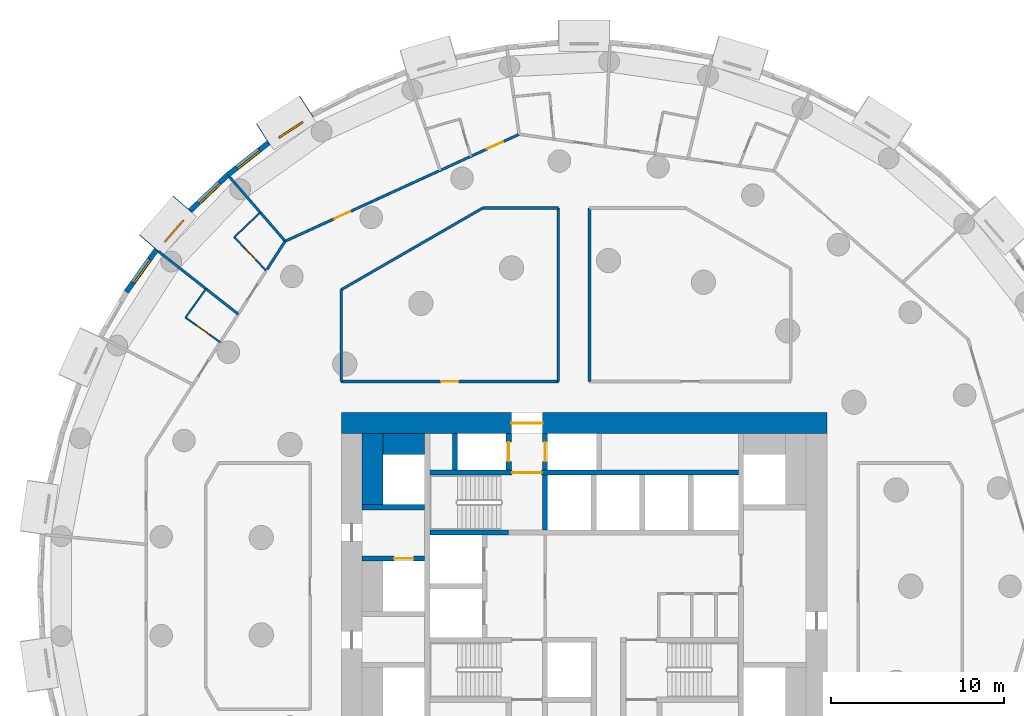
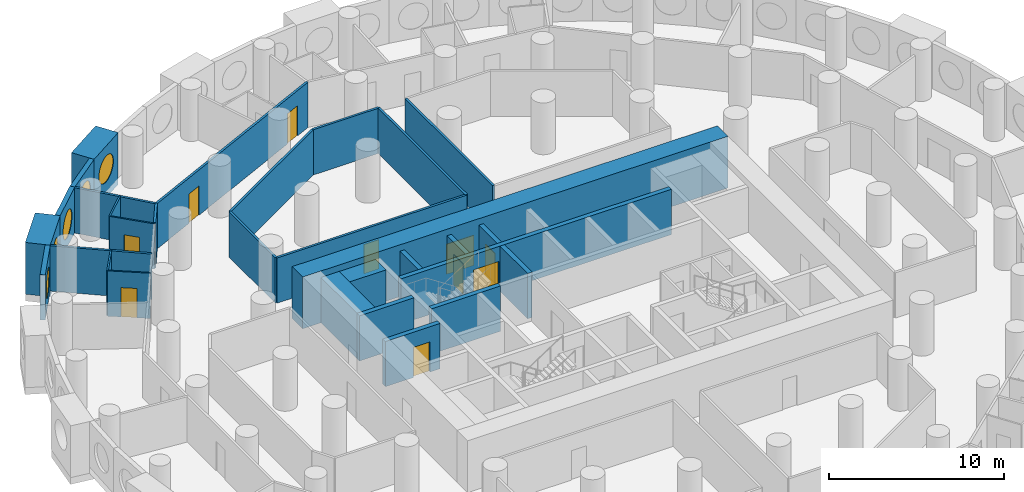
# One storey, part 7 of 11: 30 walls, 10 doors, 5 windows, 15 openings.
"""IFC4 building model written with IfcOpenShell, lengths in metres."""

from ifc_helpers import new_model, si_unit, direction, frame, frame_2d, origin, origin_2d, place, context, subcontext, project, spatial, rectangle, circle, extrude, material, layer, layer_set, type_object, element, fill, save


model = new_model("IFC4")

# Units and contexts
model_context = context("Model", 3, precision=1e-05, world=origin(), true_north=direction((0.0, 1.0)))
body_context = subcontext(model_context, "Body", "Model", "MODEL_VIEW")
ifc_project = project(units=[si_unit("LENGTHUNIT", "METRE"), si_unit("AREAUNIT", "SQUARE_METRE"), si_unit("VOLUMEUNIT", "CUBIC_METRE"), si_unit("PLANEANGLEUNIT", "RADIAN"), si_unit("MASSUNIT", "GRAM", prefix="KILO")], contexts=[model_context])

# Site, building, storey
site_placement = place(None, origin())
site = spatial("IfcSite", under=ifc_project, at=site_placement, CompositionType="ELEMENT")
building_placement = place(site_placement, origin())
building = spatial("IfcBuilding", under=site, at=building_placement, Name="Tracery Tower", CompositionType="ELEMENT")
storey_placement = place(building_placement, frame((0.0, 0.0, 100.199951171875)))
storey = spatial("IfcBuildingStorey", under=building, at=storey_placement, Name="L25", CompositionType="ELEMENT", Elevation=100.199951171875)

# Walls
ifc_material_1 = material(Name="Concrete C60/75", Category="concrete")
ifc_layer_1 = layer(ifc_material_1, 1.199951171875)
ifc_layer_set_1 = layer_set([ifc_layer_1], Name="Core strip wall 1200 C60")
wall_type_1 = type_object("IfcWallType", Name="Core strip wall 1200 C60", PredefinedType="SOLIDWALL", material=ifc_layer_set_1)
wall_1_placement = place(storey_placement, frame((-12.199951171875, 4.699951171875, 0.0), z_axis=(0.0, 0.0, 1.0), x_axis=(0.0, 1.0, 0.0)))
element("IfcWall", 1, at=wall_1_placement, inside=storey, type_object=wall_type_1, Name="L25 wing strip -1 4.55", PredefinedType="SOLIDWALL", context=body_context, shape_type="SweptSolid", body=[
    extrude(rectangle(XDim=4.10009765625, YDim=1.199951171875, at=frame_2d((2.050048828125, 0.0))), origin(), (0.0, 0.0, 1.0), 3.150146484375),
])
wall_2_placement = place(storey_placement, frame((-11.60009765625, 8.199951171875, 0.0), z_axis=(0.0, 0.0, 1.0), x_axis=(1.0, 0.0, 0.0)))
element("IfcWall", 2, at=wall_2_placement, inside=storey, type_object=wall_type_1, Name="L25 wing corner -1 +8.2", PredefinedType="SOLIDWALL", context=body_context, shape_type="SweptSolid", body=[
    extrude(rectangle(XDim=2.400146484375, YDim=1.199951171875, at=frame_2d((1.2001953125, 0.0))), origin(), (0.0, 0.0, 1.0), 3.150146484375),
])

# Wall, opening, door
ifc_material_2 = material(Name="Concrete C60/75", Category="concrete")
ifc_layer_2 = layer(ifc_material_2, 1.199951171875)
ifc_layer_set_2 = layer_set([ifc_layer_2], Name="Core wall 1200 C60")
wall_type_2 = type_object("IfcWallType", Name="Core wall 1200 C60", PredefinedType="SOLIDWALL", material=ifc_layer_set_2)
wall_3_placement = place(storey_placement, frame((-14.0, 9.39990234375, 0.0), z_axis=(0.0, 0.0, 1.0), x_axis=(1.0, 0.0, 0.0)))
wall_3 = element("IfcWall", 3, at=wall_3_placement, inside=storey, type_object=wall_type_2, Name="L25 outer N", PredefinedType="SOLIDWALL", context=body_context, shape_type="SweptSolid", body=[
    extrude(rectangle(XDim=28.0, YDim=1.199951171875, at=frame_2d((14.0, 0.0))), origin(), (0.0, 0.0, 1.0), 3.60009765625),
])
opening_1_placement = place(wall_3_placement, frame((9.800048828125, 0.0, 0.0)))
opening_1 = element("IfcOpeningElement", 4, at=opening_1_placement, cuts=wall_3, Name="Opening KD13", PredefinedType="OPENING", context=body_context, shape_type="SweptSolid", body=[
    extrude(rectangle(XDim=1.800048828125, YDim=2.10009765625, at=frame_2d((0.89990234375, 1.050048828125))), frame((0.0, 0.60009765625, 0.0), z_axis=(0.0, -1.0, 0.0), x_axis=(1.0, 0.0, 0.0)), (0.0, 0.0, 1.0), 1.199951171875),
])
ifc_material_3 = material(Name="Steel fire door", Category="steel")
door_type_1 = type_object("IfcDoorType", Name="Core exit door 1800 double", OperationType="NOTDEFINED", PredefinedType="DOOR", material=ifc_material_3)
door_1_placement = place(opening_1_placement, origin())
door_1 = element("IfcDoor", 5, at=door_1_placement, inside=storey, type_object=door_type_1, Name="Core exit door", OperationType="DOUBLE_DOOR_SINGLE_SWING", OverallHeight=2.10009765625, OverallWidth=1.800048828125, PredefinedType="DOOR", context=body_context, shape_type="SweptSolid", body=[
    extrude(rectangle(XDim=1.800048828125, YDim=2.10009765625, at=frame_2d((0.89990234375, 1.050048828125))), frame((0.0, 0.02490234375, 0.0), z_axis=(0.0, -1.0, 0.0), x_axis=(1.0, 0.0, 0.0)), (0.0, 0.0, 1.0), 0.050048828125),
])
fill(opening_1, door_1)

# Wall, opening, window
ifc_material_4 = material(Name="Precast concrete C50/60", Category="concrete")
ifc_layer_3 = layer(ifc_material_4, 1.449951171875)
ifc_layer_set_3 = layer_set([ifc_layer_3], Name="Deep-set bay unit 3000 x 3600, slab edge 450")
wall_type_3 = type_object("IfcWallType", Name="Deep-set bay unit 3000 x 3600, slab edge 450", PredefinedType="ELEMENTEDWALL", material=ifc_layer_set_3)
wall_4_placement = place(storey_placement, frame((-15.9921875, 27.65869140625, -0.449951171875), z_axis=(0.0, 0.0, 1.0), x_axis=(-0.841223422347, -0.540687667415, 0.0)))
wall_4 = element("IfcWall", 6, at=wall_4_placement, inside=storey, type_object=wall_type_3, Name="Deep-set bay unit 23 at L25", PredefinedType="ELEMENTEDWALL", context=body_context, shape_type="SweptSolid", body=[
    extrude(rectangle(XDim=3.0, YDim=1.449951171875, at=frame_2d((1.5, 0.0))), origin(), (0.0, 0.0, 1.0), 3.60009765625),
])
opening_2_placement = place(wall_4_placement, frame((1.5, 0.0, 2.0)))
opening_2 = element("IfcOpeningElement", 7, at=opening_2_placement, cuts=wall_4, Name="Opening WN1", PredefinedType="OPENING", context=body_context, shape_type="SweptSolid", body=[
    extrude(circle(Radius=0.9000244140625, at=origin_2d()), frame((0.0, 0.73486328125, 0.0), z_axis=(0.0, -1.0, 0.0), x_axis=(1.0, 0.0, 0.0)), (0.0, 0.0, 1.0), 1.469970703125),
])
ifc_material_5 = material(Name="Aluminium frame with tinted double glazing", Category="aluminium")
window_type = type_object("IfcWindowType", Name="Round window 1800", PartitioningType="SINGLE_PANEL", PredefinedType="WINDOW", material=ifc_material_5)
window_1_placement = place(opening_2_placement, origin())
window_1 = element("IfcWindow", 8, at=window_1_placement, inside=storey, type_object=window_type, Name="Round window 23 at L25", OverallHeight=1.800048828125, OverallWidth=1.800048828125, PartitioningType="SINGLE_PANEL", PredefinedType="WINDOW", context=body_context, shape_type="SweptSolid", body=[
    extrude(circle(Radius=0.9000244140625, at=origin_2d()), frame((0.0, 0.69482421875, 0.0), z_axis=(0.0, -1.0, 0.0), x_axis=(1.0, 0.0, 0.0)), (0.0, 0.0, 1.0), 0.10009765625),
])
fill(opening_2, window_1)

wall_5_placement = place(storey_placement, frame((-23.13671875, 22.03271484375, -0.449951171875), z_axis=(0.0, 0.0, 1.0), x_axis=(-0.654890259022, -0.75572398972, 0.0)))
wall_5 = element("IfcWall", 9, at=wall_5_placement, inside=storey, type_object=wall_type_3, Name="Deep-set bay unit 26 at L25", PredefinedType="ELEMENTEDWALL", context=body_context, shape_type="SweptSolid", body=[
    extrude(rectangle(XDim=3.0, YDim=1.449951171875, at=frame_2d((1.5, 0.0))), origin(), (0.0, 0.0, 1.0), 3.60009765625),
])
opening_3_placement = place(wall_5_placement, frame((1.5, 0.0, 2.0)))
opening_3 = element("IfcOpeningElement", 10, at=opening_3_placement, cuts=wall_5, Name="Opening WN1", PredefinedType="OPENING", context=body_context, shape_type="SweptSolid", body=[
    extrude(circle(Radius=0.9000244140625, at=origin_2d()), frame((0.0, 0.73486328125, 0.0), z_axis=(0.0, -1.0, 0.0), x_axis=(1.0, 0.0, 0.0)), (0.0, 0.0, 1.0), 1.469970703125),
])
window_2_placement = place(opening_3_placement, origin())
window_2 = element("IfcWindow", 11, at=window_2_placement, inside=storey, type_object=window_type, Name="Round window 26 at L25", OverallHeight=1.800048828125, OverallWidth=1.800048828125, PartitioningType="SINGLE_PANEL", PredefinedType="WINDOW", context=body_context, shape_type="SweptSolid", body=[
    extrude(circle(Radius=0.9000244140625, at=origin_2d()), frame((0.0, 0.69482421875, 0.0), z_axis=(0.0, -1.0, 0.0), x_axis=(1.0, 0.0, 0.0)), (0.0, 0.0, 1.0), 0.10009765625),
])
fill(opening_3, window_2)

ifc_material_6 = material(Name="Precast concrete C50/60", Category="concrete")
ifc_layer_4 = layer(ifc_material_6, 0.300048828125)
ifc_layer_set_4 = layer_set([ifc_layer_4], Name="Facade panel 3000 x 3150")
wall_type_4 = type_object("IfcWallType", Name="Facade panel 3000 x 3150", PredefinedType="SOLIDWALL", material=ifc_layer_set_4)
wall_6_placement = place(storey_placement, frame((-18.20361328125, 25.55322265625, 0.0), z_axis=(0.0, 0.0, 1.0), x_axis=(-0.786045331304, -0.618168858108, 0.0)))
wall_6 = element("IfcWall", 12, at=wall_6_placement, inside=storey, type_object=wall_type_4, Name="Facade panel 24 at L25", PredefinedType="SOLIDWALL", context=body_context, shape_type="SweptSolid", body=[
    extrude(rectangle(XDim=2.979736328125, YDim=0.300048828125, at=frame_2d((1.48974609375, 0.0))), origin(), (0.0, 0.0, 1.0), 3.150146484375),
])
opening_4_placement = place(wall_6_placement, frame((1.48974609375, 0.0, 1.5498046875)))
opening_4 = element("IfcOpeningElement", 13, at=opening_4_placement, cuts=wall_6, Name="Opening WN1", PredefinedType="OPENING", context=body_context, shape_type="SweptSolid", body=[
    extrude(circle(Radius=0.9000244140625, at=origin_2d()), frame((0.0, 0.159912109375, 0.0), z_axis=(0.0, -1.0, 0.0), x_axis=(1.0, 0.0, 0.0)), (0.0, 0.0, 1.0), 0.320068359375),
])
window_3_placement = place(opening_4_placement, origin())
window_3 = element("IfcWindow", 14, at=window_3_placement, inside=storey, type_object=window_type, Name="Round window 24 at L25", OverallHeight=1.800048828125, OverallWidth=1.800048828125, PartitioningType="SINGLE_PANEL", PredefinedType="WINDOW", context=body_context, shape_type="SweptSolid", body=[
    extrude(circle(Radius=0.9000244140625, at=origin_2d()), frame((0.0, 0.1201171875, 0.0), z_axis=(0.0, -1.0, 0.0), x_axis=(1.0, 0.0, 0.0)), (0.0, 0.0, 1.0), 0.10009765625),
])
fill(opening_4, window_3)

wall_7_placement = place(storey_placement, frame((-20.5458984375, 23.711181640625, 0.0), z_axis=(0.0, 0.0, 1.0), x_axis=(-0.723744206617, -0.690068346896, 0.0)))
wall_7 = element("IfcWall", 15, at=wall_7_placement, inside=storey, type_object=wall_type_4, Name="Facade panel 25 at L25", PredefinedType="SOLIDWALL", context=body_context, shape_type="SweptSolid", body=[
    extrude(rectangle(XDim=2.979736328125, YDim=0.300048828125, at=frame_2d((1.48974609375, 0.0))), origin(), (0.0, 0.0, 1.0), 3.150146484375),
])
opening_5_placement = place(wall_7_placement, frame((1.48974609375, 0.0, 1.5498046875)))
opening_5 = element("IfcOpeningElement", 16, at=opening_5_placement, cuts=wall_7, Name="Opening WN1", PredefinedType="OPENING", context=body_context, shape_type="SweptSolid", body=[
    extrude(circle(Radius=0.9000244140625, at=origin_2d()), frame((0.0, 0.159912109375, 0.0), z_axis=(0.0, -1.0, 0.0), x_axis=(1.0, 0.0, 0.0)), (0.0, 0.0, 1.0), 0.320068359375),
])
window_4_placement = place(opening_5_placement, origin())
window_4 = element("IfcWindow", 17, at=window_4_placement, inside=storey, type_object=window_type, Name="Round window 25 at L25", OverallHeight=1.800048828125, OverallWidth=1.800048828125, PartitioningType="SINGLE_PANEL", PredefinedType="WINDOW", context=body_context, shape_type="SweptSolid", body=[
    extrude(circle(Radius=0.9000244140625, at=origin_2d()), frame((0.0, 0.1201171875, 0.0), z_axis=(0.0, -1.0, 0.0), x_axis=(1.0, 0.0, 0.0)), (0.0, 0.0, 1.0), 0.10009765625),
])
fill(opening_5, window_4)

wall_8_placement = place(storey_placement, frame((-24.66552734375, 19.389404296875, 0.0), z_axis=(0.0, 0.0, 1.0), x_axis=(-0.580059407678, -0.81457417315, 0.0)))
wall_8 = element("IfcWall", 18, at=wall_8_placement, inside=storey, type_object=wall_type_4, Name="Facade panel 27 at L25", PredefinedType="SOLIDWALL", context=body_context, shape_type="SweptSolid", body=[
    extrude(rectangle(XDim=2.9794921875, YDim=0.300048828125, at=frame_2d((1.48974609375, 0.0))), origin(), (0.0, 0.0, 1.0), 3.150146484375),
])
opening_6_placement = place(wall_8_placement, frame((1.48974609375, 0.0, 1.5498046875)))
opening_6 = element("IfcOpeningElement", 19, at=opening_6_placement, cuts=wall_8, Name="Opening WN1", PredefinedType="OPENING", context=body_context, shape_type="SweptSolid", body=[
    extrude(circle(Radius=0.9000244140625, at=origin_2d()), frame((0.0, 0.159912109375, 0.0), z_axis=(0.0, -1.0, 0.0), x_axis=(1.0, 0.0, 0.0)), (0.0, 0.0, 1.0), 0.320068359375),
])
window_5_placement = place(opening_6_placement, origin())
window_5 = element("IfcWindow", 20, at=window_5_placement, inside=storey, type_object=window_type, Name="Round window 27 at L25", OverallHeight=1.800048828125, OverallWidth=1.800048828125, PartitioningType="SINGLE_PANEL", PredefinedType="WINDOW", context=body_context, shape_type="SweptSolid", body=[
    extrude(circle(Radius=0.9000244140625, at=origin_2d()), frame((0.0, 0.1201171875, 0.0), z_axis=(0.0, -1.0, 0.0), x_axis=(1.0, 0.0, 0.0)), (0.0, 0.0, 1.0), 0.10009765625),
])
fill(opening_6, window_5)

# Wall
ifc_material_7 = material(Name="Plasterboard on steel studs", Category="steel")
ifc_layer_5 = layer(ifc_material_7, 0.10009765625)
ifc_layer_set_5 = layer_set([ifc_layer_5], Name="Partition 100 wet wall")
wall_type_5 = type_object("IfcWallType", Name="Partition 100 wet wall", PredefinedType="PARTITIONING", material=ifc_layer_set_5)
wall_9_placement = place(storey_placement, frame((-20.1689453125, 20.117919921875, 0.0), z_axis=(0.0, 0.0, 1.0), x_axis=(0.723537557066, 0.690285016145, 0.0)))
element("IfcWall", 21, at=wall_9_placement, inside=storey, type_object=wall_type_5, Name="Wet wall RA7-063", PredefinedType="PARTITIONING", context=body_context, shape_type="SweptSolid", body=[
    extrude(rectangle(XDim=2.070556640625, YDim=0.10009765625, at=frame_2d((1.03515625, 0.0))), origin(), (0.0, 0.0, 1.0), 3.150146484375),
])

# Wall, opening, door
wall_10_placement = place(storey_placement, frame((-20.1689453125, 20.117919921875, 0.0), z_axis=(0.0, 0.0, 1.0), x_axis=(0.690011756227, -0.723798159896, 0.0)))
wall_10 = element("IfcWall", 22, at=wall_10_placement, inside=storey, type_object=wall_type_5, Name="Wet wall RA7-064", PredefinedType="PARTITIONING", context=body_context, shape_type="SweptSolid", body=[
    extrude(rectangle(XDim=2.66650390625, YDim=0.10009765625, at=frame_2d((1.333251953125, 0.0))), origin(), (0.0, 0.0, 1.0), 3.150146484375),
])
opening_7_placement = place(wall_10_placement, frame((0.883056640625, 0.0, 0.0)))
opening_7 = element("IfcOpeningElement", 23, at=opening_7_placement, cuts=wall_10, Name="Opening RA7-19", PredefinedType="OPENING", context=body_context, shape_type="SweptSolid", body=[
    extrude(rectangle(XDim=0.89990234375, YDim=2.0400390625, at=frame_2d((0.449951171875, 1.02001953125))), frame((0.0, 0.050048828125, 0.0), z_axis=(0.0, -1.0, 0.0), x_axis=(1.0, 0.0, 0.0)), (0.0, 0.0, 1.0), 0.10009765625),
])
ifc_material_8 = material(Name="Timber door leaf", Category="wood")
door_type_2 = type_object("IfcDoorType", Name="Door en-suite 900", OperationType="NOTDEFINED", PredefinedType="DOOR", material=ifc_material_8)
door_2_placement = place(opening_7_placement, origin())
door_2 = element("IfcDoor", 24, at=door_2_placement, inside=storey, type_object=door_type_2, Name="En-suite door RA7-19", OperationType="SINGLE_SWING_LEFT", OverallHeight=2.0400390625, OverallWidth=0.89990234375, PredefinedType="DOOR", context=body_context, shape_type="SweptSolid", body=[
    extrude(rectangle(XDim=0.89990234375, YDim=2.0400390625, at=frame_2d((0.449951171875, 1.02001953125))), frame((0.0, 0.02490234375, 0.0), z_axis=(0.0, -1.0, 0.0), x_axis=(1.0, 0.0, 0.0)), (0.0, 0.0, 1.0), 0.050048828125),
])
fill(opening_7, door_2)

# Wall
wall_11_placement = place(storey_placement, frame((-22.97802734375, 15.486083984375, 0.0), z_axis=(0.0, 0.0, 1.0), x_axis=(0.580283748447, 0.814414373208, 0.0)))
element("IfcWall", 25, at=wall_11_placement, inside=storey, type_object=wall_type_5, Name="Wet wall RA7-066", PredefinedType="PARTITIONING", context=body_context, shape_type="SweptSolid", body=[
    extrude(rectangle(XDim=2.033447265625, YDim=0.10009765625, at=frame_2d((1.0166015625, 0.0))), origin(), (0.0, 0.0, 1.0), 3.150146484375),
])

# Wall, opening, door
wall_12_placement = place(storey_placement, frame((-22.97802734375, 15.486083984375, 0.0), z_axis=(0.0, 0.0, 1.0), x_axis=(0.814519517834, -0.580136152181, 0.0)))
wall_12 = element("IfcWall", 26, at=wall_12_placement, inside=storey, type_object=wall_type_5, Name="Wet wall RA7-067", PredefinedType="PARTITIONING", context=body_context, shape_type="SweptSolid", body=[
    extrude(rectangle(XDim=2.453125, YDim=0.10009765625, at=frame_2d((1.2265625, 0.0))), origin(), (0.0, 0.0, 1.0), 3.150146484375),
])
opening_8_placement = place(wall_12_placement, frame((0.77587890625, 0.0, 0.0)))
opening_8 = element("IfcOpeningElement", 27, at=opening_8_placement, cuts=wall_12, Name="Opening RA7-21", PredefinedType="OPENING", context=body_context, shape_type="SweptSolid", body=[
    extrude(rectangle(XDim=0.89990234375, YDim=2.0400390625, at=frame_2d((0.449951171875, 1.02001953125))), frame((0.0, 0.050048828125, 0.0), z_axis=(0.0, -1.0, 0.0), x_axis=(1.0, 0.0, 0.0)), (0.0, 0.0, 1.0), 0.10009765625),
])
door_3_placement = place(opening_8_placement, origin())
door_3 = element("IfcDoor", 28, at=door_3_placement, inside=storey, type_object=door_type_2, Name="En-suite door RA7-21", OperationType="SINGLE_SWING_LEFT", OverallHeight=2.0400390625, OverallWidth=0.89990234375, PredefinedType="DOOR", context=body_context, shape_type="SweptSolid", body=[
    extrude(rectangle(XDim=0.89990234375, YDim=2.0400390625, at=frame_2d((0.449951171875, 1.02001953125))), frame((0.0, 0.02490234375, 0.0), z_axis=(0.0, -1.0, 0.0), x_axis=(1.0, 0.0, 0.0)), (0.0, 0.0, 1.0), 0.050048828125),
])
fill(opening_8, door_3)

# Walls
ifc_material_9 = material(Name="Plasterboard on steel studs", Category="steel")
ifc_layer_6 = layer(ifc_material_9, 0.14990234375)
ifc_layer_set_6 = layer_set([ifc_layer_6], Name="Partition 150 acoustic unit wall")
wall_type_6 = type_object("IfcWallType", Name="Partition 150 acoustic unit wall", PredefinedType="PARTITIONING", material=ifc_layer_set_6)
wall_13_placement = place(storey_placement, frame((-20.447998046875, 23.597900390625, 0.0), z_axis=(0.0, 0.0, 1.0), x_axis=(0.654900226821, -0.755715351776, 0.0)))
element("IfcWall", 29, at=wall_13_placement, inside=storey, type_object=wall_type_6, Name="Unit wall RA7-062", PredefinedType="PARTITIONING", context=body_context, shape_type="SweptSolid", body=[
    extrude(rectangle(XDim=4.90625, YDim=0.14990234375, at=frame_2d((2.453125, 0.0))), origin(), (0.0, 0.0, 1.0), 3.150146484375),
])
wall_14_placement = place(storey_placement, frame((-24.5439453125, 19.302001953125, 0.0), z_axis=(0.0, 0.0, 1.0), x_axis=(0.786034767432, -0.618182290581, 0.0)))
element("IfcWall", 30, at=wall_14_placement, inside=storey, type_object=wall_type_6, Name="Unit wall RA7-065", PredefinedType="PARTITIONING", context=body_context, shape_type="SweptSolid", body=[
    extrude(rectangle(XDim=5.857177734375, YDim=0.14990234375, at=frame_2d((2.9287109375, 0.0))), origin(), (0.0, 0.0, 1.0), 3.150146484375),
])

# Wall, opening, door
ifc_material_10 = material(Name="Plasterboard on steel studs", Category="steel")
ifc_layer_7 = layer(ifc_material_10, 0.14990234375)
ifc_layer_set_7 = layer_set([ifc_layer_7], Name="Partition 150 corridor wall")
wall_type_7 = type_object("IfcWallType", Name="Partition 150 corridor wall", PredefinedType="PARTITIONING", material=ifc_layer_set_7)
wall_15_placement = place(storey_placement, frame((-14.00390625, 11.800048828125, 0.0), z_axis=(0.0, 0.0, 1.0), x_axis=(1.0, 0.0, 0.0)))
wall_15 = element("IfcWall", 31, at=wall_15_placement, inside=storey, type_object=wall_type_7, Name="Corridor wall RA7-001", PredefinedType="PARTITIONING", context=body_context, shape_type="SweptSolid", body=[
    extrude(rectangle(XDim=12.517822265625, YDim=0.14990234375, at=frame_2d((6.2587890625, 0.0))), origin(), (0.0, 0.0, 1.0), 3.150146484375),
])
opening_9_placement = place(wall_15_placement, frame((5.759033203125, 0.0, 0.0)))
opening_9 = element("IfcOpeningElement", 32, at=opening_9_placement, cuts=wall_15, Name="Opening RA7-01", PredefinedType="OPENING", context=body_context, shape_type="SweptSolid", body=[
    extrude(rectangle(XDim=1.0, YDim=2.0400390625, at=frame_2d((0.5, 1.02001953125))), frame((0.0, 0.074951171875, 0.0), z_axis=(0.0, -1.0, 0.0), x_axis=(1.0, 0.0, 0.0)), (0.0, 0.0, 1.0), 0.14990234375),
])
ifc_material_11 = material(Name="Timber door leaf", Category="wood")
door_type_3 = type_object("IfcDoorType", Name="Door communal room 1000", OperationType="NOTDEFINED", PredefinedType="DOOR", material=ifc_material_11)
door_4_placement = place(opening_9_placement, origin())
door_4 = element("IfcDoor", 33, at=door_4_placement, inside=storey, type_object=door_type_3, Name="Communal room door RA7-01", OperationType="SINGLE_SWING_RIGHT", OverallHeight=2.0400390625, OverallWidth=1.0, PredefinedType="DOOR", context=body_context, shape_type="SweptSolid", body=[
    extrude(rectangle(XDim=1.0, YDim=2.0400390625, at=frame_2d((0.5, 1.02001953125))), frame((0.0, 0.02490234375, 0.0), z_axis=(0.0, -1.0, 0.0), x_axis=(1.0, 0.0, 0.0)), (0.0, 0.0, 1.0), 0.050048828125),
])
fill(opening_9, door_4)

# Walls
wall_16_placement = place(storey_placement, frame((-1.489990234375, 11.800048828125, 0.0), z_axis=(0.0, 0.0, 1.0), x_axis=(0.0, 1.0, 0.0)))
element("IfcWall", 34, at=wall_16_placement, inside=storey, type_object=wall_type_7, Name="Corridor wall RA7-016", PredefinedType="PARTITIONING", context=body_context, shape_type="SweptSolid", body=[
    extrude(rectangle(XDim=10.001953125, YDim=0.14990234375, at=frame_2d((5.0009765625, 0.0))), origin(), (0.0, 0.0, 1.0), 3.150146484375),
])
wall_17_placement = place(storey_placement, frame((-5.842041015625, 21.802001953125, 0.0), z_axis=(0.0, 0.0, 1.0), x_axis=(1.0, 0.0, 0.0)))
element("IfcWall", 35, at=wall_17_placement, inside=storey, type_object=wall_type_7, Name="Corridor wall RA7-017", PredefinedType="PARTITIONING", context=body_context, shape_type="SweptSolid", body=[
    extrude(rectangle(XDim=4.35205078125, YDim=0.14990234375, at=frame_2d((2.176025390625, 0.0))), origin(), (0.0, 0.0, 1.0), 3.150146484375),
])
wall_18_placement = place(storey_placement, frame((-14.0, 17.092041015625, 0.0), z_axis=(0.0, 0.0, 1.0), x_axis=(0.86602719091, 0.499996904595, 0.0)))
element("IfcWall", 36, at=wall_18_placement, inside=storey, type_object=wall_type_7, Name="Corridor wall RA7-018", PredefinedType="PARTITIONING", context=body_context, shape_type="SweptSolid", body=[
    extrude(rectangle(XDim=9.419921875, YDim=0.14990234375, at=frame_2d((4.7099609375, 0.0))), origin(), (0.0, 0.0, 1.0), 3.150146484375),
])
wall_19_placement = place(storey_placement, frame((-14.0, 11.800048828125, 0.0), z_axis=(0.0, 0.0, 1.0), x_axis=(0.0, 1.0, 0.0)))
element("IfcWall", 37, at=wall_19_placement, inside=storey, type_object=wall_type_7, Name="Corridor wall RA7-019", PredefinedType="PARTITIONING", context=body_context, shape_type="SweptSolid", body=[
    extrude(rectangle(XDim=5.2919921875, YDim=0.14990234375, at=frame_2d((2.64599609375, 0.0))), origin(), (0.0, 0.0, 1.0), 3.150146484375),
])
wall_20_placement = place(storey_placement, frame((0.31005859375, 11.800048828125, 0.0), z_axis=(0.0, 0.0, 1.0), x_axis=(0.0, 1.0, 0.0)))
element("IfcWall", 38, at=wall_20_placement, inside=storey, type_object=wall_type_7, Name="Corridor wall RA7-023", PredefinedType="PARTITIONING", context=body_context, shape_type="SweptSolid", body=[
    extrude(rectangle(XDim=10.001953125, YDim=0.14990234375, at=frame_2d((5.0009765625, 0.0))), origin(), (0.0, 0.0, 1.0), 3.150146484375),
])

# Wall, openings, doors
wall_21_placement = place(storey_placement, frame((-17.23388671875, 19.8876953125, 0.0), z_axis=(0.0, 0.0, 1.0), x_axis=(0.90953867323, 0.415619299238, 0.0)))
wall_21 = element("IfcWall", 39, at=wall_21_placement, inside=storey, type_object=wall_type_7, Name="Corridor wall RA7-025", PredefinedType="PARTITIONING", context=body_context, shape_type="SweptSolid", body=[
    extrude(rectangle(XDim=14.829345703125, YDim=0.14990234375, at=frame_2d((7.41455078125, 0.0))), origin(), (0.0, 0.0, 1.0), 3.150146484375),
])
opening_10_placement = place(wall_21_placement, frame((12.797119140625, 0.0, 0.0)))
opening_10 = element("IfcOpeningElement", 40, at=opening_10_placement, cuts=wall_21, Name="Opening RA7-17", PredefinedType="OPENING", context=body_context, shape_type="SweptSolid", body=[
    extrude(rectangle(XDim=1.0, YDim=2.10009765625, at=frame_2d((0.5, 1.050048828125))), frame((0.0, 0.074951171875, 0.0), z_axis=(0.0, -1.0, 0.0), x_axis=(1.0, 0.0, 0.0)), (0.0, 0.0, 1.0), 0.14990234375),
])
opening_11_placement = place(wall_21_placement, frame((3.114990234375, 0.0, 0.0)))
opening_11 = element("IfcOpeningElement", 41, at=opening_11_placement, cuts=wall_21, Name="Opening RA7-18", PredefinedType="OPENING", context=body_context, shape_type="SweptSolid", body=[
    extrude(rectangle(XDim=1.0, YDim=2.0400390625, at=frame_2d((0.5, 1.02001953125))), frame((0.0, 0.074951171875, 0.0), z_axis=(0.0, -1.0, 0.0), x_axis=(1.0, 0.0, 0.0)), (0.0, 0.0, 1.0), 0.14990234375),
])
door_5_placement = place(opening_11_placement, origin())
door_5 = element("IfcDoor", 42, at=door_5_placement, inside=storey, type_object=door_type_3, Name="Communal room door RA7-18", OperationType="SINGLE_SWING_LEFT", OverallHeight=2.0400390625, OverallWidth=1.0, PredefinedType="DOOR", context=body_context, shape_type="SweptSolid", body=[
    extrude(rectangle(XDim=1.0, YDim=2.0400390625, at=frame_2d((0.5, 1.02001953125))), frame((0.0, 0.02490234375, 0.0), z_axis=(0.0, -1.0, 0.0), x_axis=(1.0, 0.0, 0.0)), (0.0, 0.0, 1.0), 0.050048828125),
])
fill(opening_11, door_5)
ifc_material_12 = material(Name="Timber door leaf", Category="wood")
door_type_4 = type_object("IfcDoorType", Name="Door unit entrance 1000", OperationType="NOTDEFINED", PredefinedType="DOOR", material=ifc_material_12)
door_6_placement = place(opening_10_placement, origin())
door_6 = element("IfcDoor", 43, at=door_6_placement, inside=storey, type_object=door_type_4, Name="Unit entrance door RA7-17", OperationType="SINGLE_SWING_RIGHT", OverallHeight=2.10009765625, OverallWidth=1.0, PredefinedType="DOOR", context=body_context, shape_type="SweptSolid", body=[
    extrude(rectangle(XDim=1.0, YDim=2.10009765625, at=frame_2d((0.5, 1.050048828125))), frame((0.0, 0.02490234375, 0.0), z_axis=(0.0, -1.0, 0.0), x_axis=(1.0, 0.0, 0.0)), (0.0, 0.0, 1.0), 0.050048828125),
])
fill(opening_10, door_6)

# Walls
wall_22_placement = place(storey_placement, frame((-18.27392578125, 18.27392578125, 0.0), z_axis=(0.0, 0.0, 1.0), x_axis=(0.540751168176, 0.841182604502, 0.0)))
element("IfcWall", 44, at=wall_22_placement, inside=storey, type_object=wall_type_7, Name="Corridor wall RA7-026", PredefinedType="PARTITIONING", context=body_context, shape_type="SweptSolid", body=[
    extrude(rectangle(XDim=1.921142578125, YDim=0.14990234375, at=frame_2d((0.96044921875, 0.0))), origin(), (0.0, 0.0, 1.0), 3.150146484375),
])
ifc_material_13 = material(Name="Concrete C60/75", Category="concrete")
ifc_layer_8 = layer(ifc_material_13, 0.300048828125)
ifc_layer_set_8 = layer_set([ifc_layer_8], Name="Shaft wall 300 C60")
wall_type_8 = type_object("IfcWallType", Name="Shaft wall 300 C60", PredefinedType="SOLIDWALL", material=ifc_layer_set_8)
wall_23_placement = place(storey_placement, frame((-7.449951171875, 6.699951171875, 0.0), z_axis=(0.0, 0.0, 1.0), x_axis=(0.0, 1.0, 0.0)))
element("IfcWall", 45, at=wall_23_placement, inside=storey, type_object=wall_type_8, Name="L25 LR sep -7.45", PredefinedType="SOLIDWALL", context=body_context, shape_type="SweptSolid", body=[
    extrude(rectangle(XDim=2.10009765625, YDim=0.300048828125, at=frame_2d((1.050048828125, 0.0))), origin(), (0.0, 0.0, 1.0), 3.150146484375),
])

# Wall, opening, door
wall_24_placement = place(storey_placement, frame((-4.35009765625, 6.699951171875, 0.0), z_axis=(0.0, 0.0, 1.0), x_axis=(0.0, 1.0, 0.0)))
wall_24 = element("IfcWall", 46, at=wall_24_placement, inside=storey, type_object=wall_type_8, Name="L25 LR sep -4.35", PredefinedType="SOLIDWALL", context=body_context, shape_type="SweptSolid", body=[
    extrude(rectangle(XDim=2.10009765625, YDim=0.300048828125, at=frame_2d((1.050048828125, 0.0))), origin(), (0.0, 0.0, 1.0), 3.150146484375),
])
opening_12_placement = place(wall_24_placement, frame((0.5, 0.0, 0.0)))
opening_12 = element("IfcOpeningElement", 47, at=opening_12_placement, cuts=wall_24, Name="Opening KD50", PredefinedType="OPENING", context=body_context, shape_type="SweptSolid", body=[
    extrude(rectangle(XDim=1.10009765625, YDim=2.10009765625, at=frame_2d((0.550048828125, 1.050048828125))), frame((0.0, 0.14990234375, 0.0), z_axis=(0.0, -1.0, 0.0), x_axis=(1.0, 0.0, 0.0)), (0.0, 0.0, 1.0), 0.300048828125),
])
ifc_material_14 = material(Name="Steel fire door", Category="steel")
door_type_5 = type_object("IfcDoorType", Name="Landing door 1100", OperationType="NOTDEFINED", PredefinedType="DOOR", material=ifc_material_14)
door_7_placement = place(opening_12_placement, origin())
door_7 = element("IfcDoor", 48, at=door_7_placement, inside=storey, type_object=door_type_5, Name="Landing door LR3", OperationType="SLIDING_TO_RIGHT", OverallHeight=2.10009765625, OverallWidth=1.10009765625, PredefinedType="DOOR", context=body_context, shape_type="SweptSolid", body=[
    extrude(rectangle(XDim=1.10009765625, YDim=2.10009765625, at=frame_2d((0.550048828125, 1.050048828125))), frame((0.0, 0.02490234375, 0.0), z_axis=(0.0, -1.0, 0.0), x_axis=(1.0, 0.0, 0.0)), (0.0, 0.0, 1.0), 0.050048828125),
])
fill(opening_12, door_7)

# Wall
wall_25_placement = place(storey_placement, frame((-12.800048828125, 4.550048828125, 0.0), z_axis=(0.0, 0.0, 1.0), x_axis=(1.0, 0.0, 0.0)))
element("IfcWall", 49, at=wall_25_placement, inside=storey, type_object=wall_type_8, Name="L25 wing shaft wall -1 +4.55", PredefinedType="SOLIDWALL", context=body_context, shape_type="SweptSolid", body=[
    extrude(rectangle(XDim=3.60009765625, YDim=0.300048828125, at=frame_2d((1.800048828125, 0.0))), origin(), (0.0, 0.0, 1.0), 3.150146484375),
])

# Wall, opening, door
wall_26_placement = place(storey_placement, frame((-12.800048828125, 1.60009765625, 0.0), z_axis=(0.0, 0.0, 1.0), x_axis=(1.0, 0.0, 0.0)))
wall_26 = element("IfcWall", 50, at=wall_26_placement, inside=storey, type_object=wall_type_8, Name="L25 wing shaft wall -1 +1.60", PredefinedType="SOLIDWALL", context=body_context, shape_type="SweptSolid", body=[
    extrude(rectangle(XDim=3.60009765625, YDim=0.300048828125, at=frame_2d((1.800048828125, 0.0))), origin(), (0.0, 0.0, 1.0), 3.150146484375),
])
opening_13_placement = place(wall_26_placement, frame((1.85009765625, 0.0, 0.0)))
opening_13 = element("IfcOpeningElement", 51, at=opening_13_placement, cuts=wall_26, Name="Opening KD50", PredefinedType="OPENING", context=body_context, shape_type="SweptSolid", body=[
    extrude(rectangle(XDim=1.10009765625, YDim=2.10009765625, at=frame_2d((0.550048828125, 1.050048828125))), frame((0.0, 0.14990234375, 0.0), z_axis=(0.0, -1.0, 0.0), x_axis=(1.0, 0.0, 0.0)), (0.0, 0.0, 1.0), 0.300048828125),
])
door_8_placement = place(opening_13_placement, origin())
door_8 = element("IfcDoor", 52, at=door_8_placement, inside=storey, type_object=door_type_5, Name="Landing door LR1", OperationType="SLIDING_TO_RIGHT", OverallHeight=2.10009765625, OverallWidth=1.10009765625, PredefinedType="DOOR", context=body_context, shape_type="SweptSolid", body=[
    extrude(rectangle(XDim=1.10009765625, YDim=2.10009765625, at=frame_2d((0.550048828125, 1.050048828125))), frame((0.0, 0.02490234375, 0.0), z_axis=(0.0, -1.0, 0.0), x_axis=(1.0, 0.0, 0.0)), (0.0, 0.0, 1.0), 0.050048828125),
])
fill(opening_13, door_8)

# Walls
ifc_material_15 = material(Name="Concrete C60/75", Category="concrete")
ifc_layer_9 = layer(ifc_material_15, 0.300048828125)
ifc_layer_set_9 = layer_set([ifc_layer_9], Name="Stair wall 300 C60")
wall_type_9 = type_object("IfcWallType", Name="Stair wall 300 C60", PredefinedType="SOLIDWALL", material=ifc_layer_set_9)
wall_27_placement = place(storey_placement, frame((-8.89990234375, 3.10009765625, 0.0), z_axis=(0.0, 0.0, 1.0), x_axis=(1.0, 0.0, 0.0)))
element("IfcWall", 53, at=wall_27_placement, inside=storey, type_object=wall_type_9, Name="L25 row N W", PredefinedType="SOLIDWALL", context=body_context, shape_type="SweptSolid", body=[
    extrude(rectangle(XDim=4.5498046875, YDim=0.300048828125, at=frame_2d((2.27490234375, 0.0))), origin(), (0.0, 0.0, 1.0), 3.150146484375),
])
wall_28_placement = place(storey_placement, frame((-2.25, 3.25, 0.0), z_axis=(0.0, 0.0, 1.0), x_axis=(0.0, 1.0, 0.0)))
element("IfcWall", 54, at=wall_28_placement, inside=storey, type_object=wall_type_9, Name="L25 ST3 E", PredefinedType="SOLIDWALL", context=body_context, shape_type="SweptSolid", body=[
    extrude(rectangle(XDim=3.14990234375, YDim=0.300048828125, at=frame_2d((1.574951171875, 0.0))), origin(), (0.0, 0.0, 1.0), 3.150146484375),
])

# Wall, opening, door
wall_29_placement = place(storey_placement, frame((-8.89990234375, 6.550048828125, 0.0), z_axis=(0.0, 0.0, 1.0), x_axis=(1.0, 0.0, 0.0)))
wall_29 = element("IfcWall", 55, at=wall_29_placement, inside=storey, type_object=wall_type_9, Name="L25 F N", PredefinedType="SOLIDWALL", context=body_context, shape_type="SweptSolid", body=[
    extrude(rectangle(XDim=17.7998046875, YDim=0.300048828125, at=frame_2d((8.89990234375, 0.0))), origin(), (0.0, 0.0, 1.0), 3.150146484375),
])
opening_14_placement = place(wall_29_placement, frame((4.75, 0.0, 0.0)))
opening_14 = element("IfcOpeningElement", 56, at=opening_14_placement, cuts=wall_29, Name="Opening KD3", PredefinedType="OPENING", context=body_context, shape_type="SweptSolid", body=[
    extrude(rectangle(XDim=1.699951171875, YDim=2.10009765625, at=frame_2d((0.85009765625, 1.050048828125))), frame((0.0, 0.14990234375, 0.0), z_axis=(0.0, -1.0, 0.0), x_axis=(1.0, 0.0, 0.0)), (0.0, 0.0, 1.0), 0.300048828125),
])
ifc_material_16 = material(Name="Steel fire door", Category="steel")
door_type_6 = type_object("IfcDoorType", Name="Core stair door 1700 double", OperationType="NOTDEFINED", PredefinedType="DOOR", material=ifc_material_16)
door_9_placement = place(opening_14_placement, origin())
door_9 = element("IfcDoor", 57, at=door_9_placement, inside=storey, type_object=door_type_6, Name="Stair door ST3 N", OperationType="DOUBLE_DOOR_SINGLE_SWING", OverallHeight=2.10009765625, OverallWidth=1.699951171875, PredefinedType="DOOR", context=body_context, shape_type="SweptSolid", body=[
    extrude(rectangle(XDim=1.699951171875, YDim=2.10009765625, at=frame_2d((0.85009765625, 1.050048828125))), frame((0.0, 0.02490234375, 0.0), z_axis=(0.0, -1.0, 0.0), x_axis=(1.0, 0.0, 0.0)), (0.0, 0.0, 1.0), 0.050048828125),
])
fill(opening_14, door_9)

wall_30_placement = place(storey_placement, frame((-2.25, 6.699951171875, 0.0), z_axis=(0.0, 0.0, 1.0), x_axis=(0.0, 1.0, 0.0)))
wall_30 = element("IfcWall", 58, at=wall_30_placement, inside=storey, type_object=wall_type_9, Name="L25 ST3 E out", PredefinedType="SOLIDWALL", context=body_context, shape_type="SweptSolid", body=[
    extrude(rectangle(XDim=2.10009765625, YDim=0.300048828125, at=frame_2d((1.050048828125, 0.0))), origin(), (0.0, 0.0, 1.0), 3.150146484375),
])
opening_15_placement = place(wall_30_placement, frame((0.5, 0.0, 0.0)))
opening_15 = element("IfcOpeningElement", 59, at=opening_15_placement, cuts=wall_30, Name="Opening KD49", PredefinedType="OPENING", context=body_context, shape_type="SweptSolid", body=[
    extrude(rectangle(XDim=1.10009765625, YDim=2.10009765625, at=frame_2d((0.550048828125, 1.050048828125))), frame((0.0, 0.14990234375, 0.0), z_axis=(0.0, -1.0, 0.0), x_axis=(1.0, 0.0, 0.0)), (0.0, 0.0, 1.0), 0.300048828125),
])
door_10_placement = place(opening_15_placement, origin())
door_10 = element("IfcDoor", 60, at=door_10_placement, inside=storey, type_object=door_type_5, Name="Landing door LR2", OperationType="SLIDING_TO_LEFT", OverallHeight=2.10009765625, OverallWidth=1.10009765625, PredefinedType="DOOR", context=body_context, shape_type="SweptSolid", body=[
    extrude(rectangle(XDim=1.10009765625, YDim=2.10009765625, at=frame_2d((0.550048828125, 1.050048828125))), frame((0.0, 0.02490234375, 0.0), z_axis=(0.0, -1.0, 0.0), x_axis=(1.0, 0.0, 0.0)), (0.0, 0.0, 1.0), 0.050048828125),
])
fill(opening_15, door_10)

save(model, "model.ifc")
